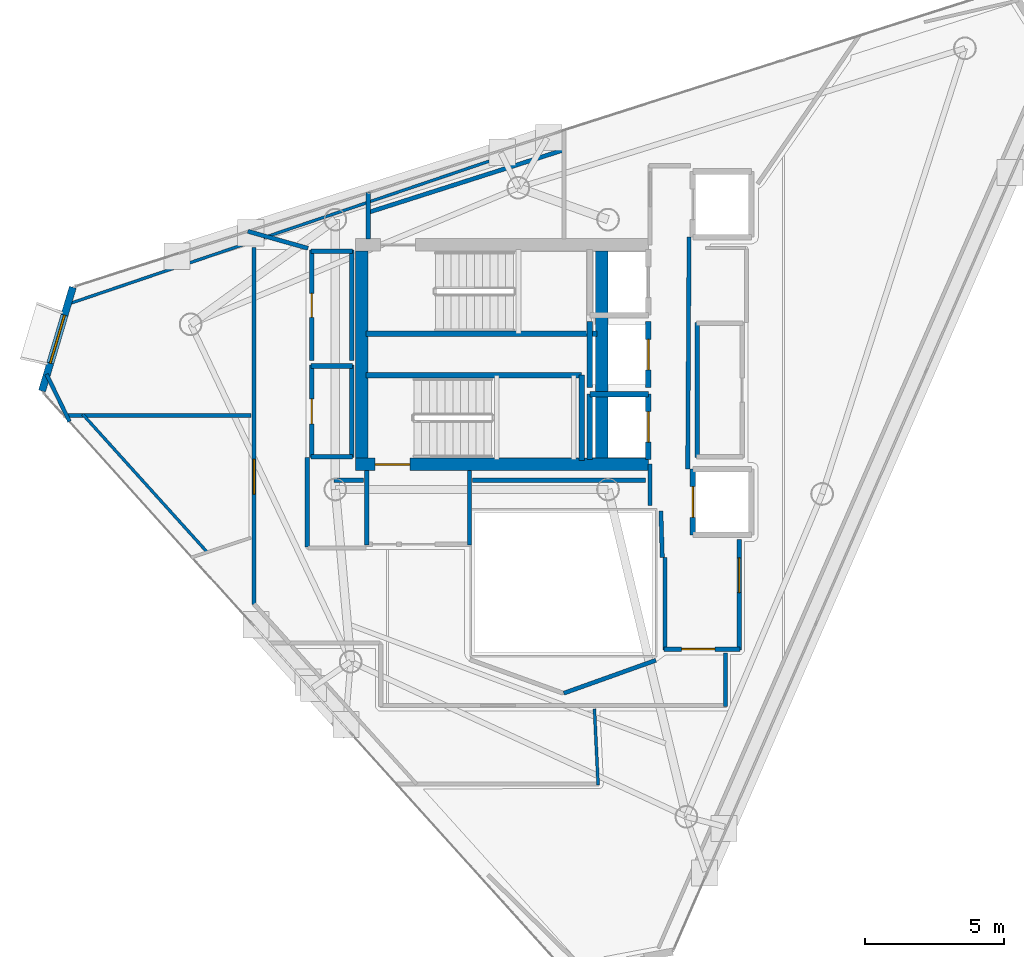
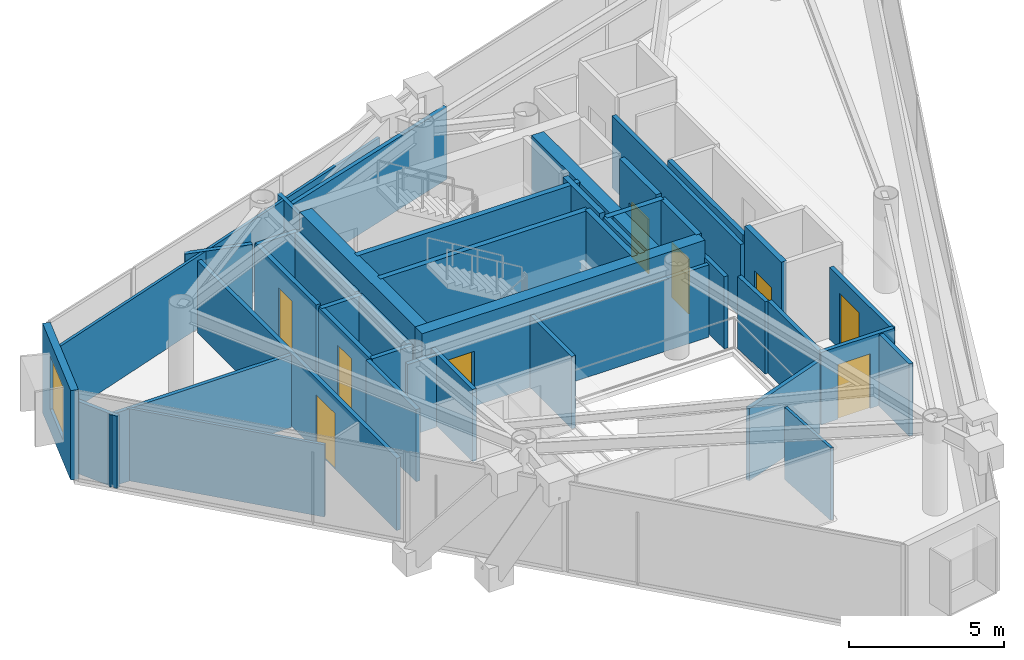
# One storey, part 16 of 19: 43 walls, 9 doors, 1 window, 10 openings.
"""IFC4 building model written with IfcOpenShell, lengths in metres."""

import ifcopenshell
import ifcopenshell.guid

model = None  # the IFC model being written
_history = None  # IfcOwnerHistory: only IFC2X3 demands one
_inside = {}  # id of a spatial element -> (the spatial element, [elements in it])
_under = {}  # id of a project, library or spatial element -> (it, [spatial elements below it])
_declared = {}  # id of a project -> (the project, [libraries it declares])
_typed = {}  # id of a type object -> (the type object, [elements of that type])
_made_of = {}  # id of a material, layer set ... -> (it, [elements and type objects made of it])


def new_model(schema):
    """Start an empty IFC model of exactly this schema.

    Asked for "IFC4X3", IfcOpenShell would pick the latest addendum, in which some entities
    have other attributes; the version numbers below select the first issue.
    IFC2X3 requires an IfcOwnerHistory on every rooted entity: one is made here for all.
    """
    global model, _history
    if schema == "IFC4X3":
        model = ifcopenshell.file(schema_version=(4, 3, 0, 0))
    else:
        model = ifcopenshell.file(schema=schema)
    _inside.clear()
    _under.clear()
    _declared.clear()
    _typed.clear()
    _made_of.clear()
    _history = None
    if model.schema == "IFC2X3":
        org = make("IfcOrganization", Name="unknown")
        user = make(
            "IfcPersonAndOrganization",
            ThePerson=make("IfcPerson", FamilyName="unknown"),
            TheOrganization=org,
        )
        app = make(
            "IfcApplication",
            ApplicationDeveloper=org,
            Version="unknown",
            ApplicationFullName="unknown",
            ApplicationIdentifier="unknown",
        )
        _history = make(
            "IfcOwnerHistory",
            OwningUser=user,
            OwningApplication=app,
            ChangeAction="ADDED",
            CreationDate=0,
        )
    return model


def make(cls, **values):
    """One entity of the class cls with the attributes given. An attribute that is None is left unset."""
    return model.create_entity(
        cls, **{name: value for name, value in values.items() if value is not None}
    )


def rooted(cls, **values):
    """An entity with a GlobalId (a new one), such as an element, a storey or a relation."""
    return make(cls, GlobalId=ifcopenshell.guid.new(), OwnerHistory=_history, **values)


def si_unit(unit_type, name, prefix=None):
    """IfcSIUnit, for example si_unit("LENGTHUNIT", "METRE", prefix="MILLI")."""
    return make("IfcSIUnit", UnitType=unit_type, Prefix=prefix, Name=name)


def assignment(units):
    """IfcUnitAssignment: the units of a project."""
    return None if units is None else make("IfcUnitAssignment", Units=units)


def point(xyz):
    """IfcCartesianPoint."""
    return None if xyz is None else make("IfcCartesianPoint", Coordinates=xyz)


def direction(xyz):
    """IfcDirection."""
    return None if xyz is None else make("IfcDirection", DirectionRatios=xyz)


def frame(location, z_axis=None, x_axis=None):
    """IfcAxis2Placement3D, a coordinate frame: its origin and axes. An axis left out is left unset."""
    return make(
        "IfcAxis2Placement3D",
        Location=point(location),
        Axis=direction(z_axis),
        RefDirection=direction(x_axis),
    )


def frame_2d(location, x_axis=None):
    """IfcAxis2Placement2D, a coordinate frame in the plane: its origin and x axis."""
    return make(
        "IfcAxis2Placement2D", Location=point(location), RefDirection=direction(x_axis)
    )


def origin():
    """The frame at (0, 0, 0) with its axes left unset."""
    return frame((0.0, 0.0, 0.0))


def place(relative_to, where):
    """IfcLocalPlacement: puts the frame where relative to a parent placement (None: the world)."""
    return make(
        "IfcLocalPlacement", PlacementRelTo=relative_to, RelativePlacement=where
    )


def context(
    kind, dimensions, precision=None, world=None, true_north=None, identifier=None
):
    """IfcGeometricRepresentationContext, for example the 3D "Model" context."""
    return make(
        "IfcGeometricRepresentationContext",
        ContextIdentifier=identifier,
        ContextType=kind,
        CoordinateSpaceDimension=dimensions,
        Precision=precision,
        WorldCoordinateSystem=world,
        TrueNorth=true_north,
    )


def subcontext(parent, identifier, kind, view, scale=None):
    """IfcGeometricRepresentationSubContext, for example "Body" below "Model"."""
    return make(
        "IfcGeometricRepresentationSubContext",
        ContextIdentifier=identifier,
        ContextType=kind,
        ParentContext=parent,
        TargetScale=scale,
        TargetView=view,
    )


def project(units=None, contexts=None):
    """IfcProject with its units and contexts."""
    return rooted(
        "IfcProject",
        Name="project",
        RepresentationContexts=contexts,
        UnitsInContext=assignment(units),
    )


def spatial(cls, under=None, at=None, **own):
    """A site, building, storey or space (cls), placed at a placement, below another one or the project."""
    s = rooted(cls, ObjectPlacement=at, **own)
    if under is not None:
        _under.setdefault(under.id(), (under, []))[1].append(s)
    return s


def profile(cls, at=None, kind="AREA", **sizes):
    """A parametric profile (cls). Its sizes go by their IFC names, for example OverallWidth=200.0."""
    return make(cls, ProfileType=kind, Position=at, **sizes)


def rectangle(**sizes):
    """IfcRectangleProfileDef."""
    return profile("IfcRectangleProfileDef", **sizes)


def extrude(swept, where, along, depth):
    """IfcExtrudedAreaSolid: the profile swept, set in the frame where, extruded along a direction by depth."""
    return make(
        "IfcExtrudedAreaSolid",
        SweptArea=swept,
        Position=where,
        ExtrudedDirection=direction(along),
        Depth=depth,
    )


def shape(context_of_items, identifier, shape_type, items):
    """IfcShapeRepresentation: the items that make up one representation, for example the "Body"."""
    return make(
        "IfcShapeRepresentation",
        ContextOfItems=context_of_items,
        RepresentationIdentifier=identifier,
        RepresentationType=shape_type,
        Items=items,
    )


def material(Name=None, Category=None):
    """IfcMaterial."""
    return make("IfcMaterial", Name=Name, Category=Category)


def layer(
    of_material, thickness, ventilated=None, Name=None, Category=None, Priority=None
):
    """IfcMaterialLayer: one layer of a wall or slab, of a material (None: an air gap)."""
    return make(
        "IfcMaterialLayer",
        Material=of_material,
        LayerThickness=thickness,
        IsVentilated=ventilated,
        Name=Name,
        Category=Category,
        Priority=Priority,
    )


def layer_set(layers, Name=None):
    """IfcMaterialLayerSet."""
    return make("IfcMaterialLayerSet", MaterialLayers=layers, LayerSetName=Name)


def made_of(thing, what):
    """Note that an element or type object is made of a material, layer set ...; save() writes the relation."""
    if what is not None:
        _made_of.setdefault(what.id(), (what, []))[1].append(thing)
    return thing


def type_object(cls, material=None, **own):
    """A type object (cls), such as IfcWallType, which elements share."""
    return made_of(rooted(cls, **own), material)


def element(
    cls,
    number,
    at=None,
    inside=None,
    cuts=None,
    type_object=None,
    material=None,
    context=None,
    identifier="Body",
    shape_type=None,
    held_by="IfcProductDefinitionShape",
    body=None,
    shapes=None,
    **own,
):
    """One element of the class cls, such as IfcWall. Its Tag is "e" and its number.

    at: its placement. inside: the storey or other place that contains it. cuts: it is an
    opening in that element (IfcRelVoidsElement). A single representation is given by context,
    identifier, shape_type and body (its items); several are given by shapes. held_by: the class
    of the entity that holds the representations. save() writes the other relations.
    """
    e = rooted(cls, Tag="e%d" % number, ObjectPlacement=at, **own)
    if body is not None:
        shapes = [shape(context, identifier, shape_type, body)]
    if shapes is not None:
        e.Representation = make(held_by, Representations=shapes)
    if inside is not None:
        _inside.setdefault(inside.id(), (inside, []))[1].append(e)
    if cuts is not None:
        rooted(
            "IfcRelVoidsElement", RelatingBuildingElement=cuts, RelatedOpeningElement=e
        )
    if type_object is not None:
        _typed.setdefault(type_object.id(), (type_object, []))[1].append(e)
    return made_of(e, material)


def fill(opening, filler):
    """IfcRelFillsElement: the door or window that sits in an opening."""
    return rooted(
        "IfcRelFillsElement",
        RelatingOpeningElement=opening,
        RelatedBuildingElement=filler,
    )


def aggregate(whole, parts):
    """IfcRelAggregates: a whole, such as a stair, and the parts it consists of."""
    return rooted("IfcRelAggregates", RelatingObject=whole, RelatedObjects=parts)


def save(model, path):
    """Write the relations noted so far, then the file.

    IfcRelAggregates (storeys below a building ...), IfcRelContainedInSpatialStructure (elements
    in a storey), IfcRelDefinesByType, IfcRelAssociatesMaterial and IfcRelDeclares: one each for
    every whole, place, type object, material and project.
    """
    for whole, parts in _under.values():
        aggregate(whole, parts)
    for where, things in _inside.values():
        rooted(
            "IfcRelContainedInSpatialStructure",
            RelatedElements=things,
            RelatingStructure=where,
        )
    for kind, things in _typed.values():
        rooted("IfcRelDefinesByType", RelatedObjects=things, RelatingType=kind)
    for what, things in _made_of.values():
        rooted("IfcRelAssociatesMaterial", RelatedObjects=things, RelatingMaterial=what)
    for by, libraries in _declared.values():
        rooted("IfcRelDeclares", RelatingContext=by, RelatedDefinitions=libraries)
    model.write(path)


model = new_model("IFC4")

# Units and contexts
model_context = context("Model", 3, precision=1e-05, world=origin(), true_north=direction((0.0, 1.0)))
body_context = subcontext(model_context, "Body", "Model", "MODEL_VIEW")
ifc_project = project(units=[si_unit("LENGTHUNIT", "METRE"), si_unit("AREAUNIT", "SQUARE_METRE"), si_unit("VOLUMEUNIT", "CUBIC_METRE"), si_unit("PLANEANGLEUNIT", "RADIAN"), si_unit("MASSUNIT", "GRAM", prefix="KILO")], contexts=[model_context])

# Site, building, storey
site_placement = place(None, origin())
site = spatial("IfcSite", under=ifc_project, at=site_placement, CompositionType="ELEMENT")
building_placement = place(site_placement, origin())
building = spatial("IfcBuilding", under=site, at=building_placement, Name="Qianvela Tower", CompositionType="ELEMENT")
storey_placement = place(building_placement, frame((0.0, 0.0, 329.60009765625)))
storey = spatial("IfcBuildingStorey", under=building, at=storey_placement, Name="L85", CompositionType="ELEMENT", Elevation=329.60009765625)

# Wall, opening, window
ifc_material_1 = material(Name="Terracotta Cladding on Concrete C40", Category="masonry")
ifc_layer_1 = layer(ifc_material_1, 0.260009765625)
ifc_layer_set_1 = layer_set([ifc_layer_1], Name="Terracotta Cladding on Concrete C40")
wall_type_1 = type_object("IfcWallType", Name="TERRACOTTA-WALL-260", PredefinedType="SOLIDWALL", material=ifc_layer_set_1)
wall_1_placement = place(storey_placement, frame((19.164306640625, 31.119384765625, 0.0), z_axis=(0.0, 0.0, 1.0), x_axis=(-0.284624412262, -0.958639110377, 0.0)))
wall_1 = element("IfcWall", 1, at=wall_1_placement, inside=storey, type_object=wall_type_1, Name="L85 Terracotta Chamfer Facet Wall 3", PredefinedType="SOLIDWALL", context=body_context, shape_type="SweptSolid", body=[
    extrude(rectangle(XDim=3.8916015625, YDim=0.260009765625, at=frame_2d((1.94580078125, 0.0))), origin(), (0.0, 0.0, 1.0), 3.52001953125),
])
opening_1_placement = place(wall_1_placement, frame((1.0458984375, 0.0, 0.85009765625)))
opening_1 = element("IfcOpeningElement", 2, at=opening_1_placement, cuts=wall_1, Name="Opening W-01", PredefinedType="OPENING", context=body_context, shape_type="SweptSolid", body=[
    extrude(rectangle(XDim=1.800048828125, YDim=2.10009765625, at=frame_2d((0.89990234375, 1.050048828125))), frame((0.0, 0.139892578125, 0.0), z_axis=(0.0, -1.0, 0.0), x_axis=(1.0, 0.0, 0.0)), (0.0, 0.0, 1.0), 0.280029296875),
])
ifc_material_2 = material(Name="Thermally Broken Aluminium and Low-E Glass", Category="aluminium")
window_type = type_object("IfcWindowType", Name="WIN-TC-1800x2100", PartitioningType="DOUBLE_PANEL_VERTICAL", PredefinedType="WINDOW", material=ifc_material_2)
window_placement = place(opening_1_placement, origin())
window = element("IfcWindow", 3, at=window_placement, inside=storey, type_object=window_type, Name="L85 Chamfer Facet Window 3.1", OverallHeight=2.10009765625, OverallWidth=1.800048828125, PartitioningType="SINGLE_PANEL", PredefinedType="WINDOW", context=body_context, shape_type="SweptSolid", body=[
    extrude(rectangle(XDim=1.800048828125, YDim=2.10009765625, at=frame_2d((0.89990234375, 1.050048828125))), frame((0.0, 0.030029296875, 0.0), z_axis=(0.0, -1.0, 0.0), x_axis=(1.0, 0.0, 0.0)), (0.0, 0.0, 1.0), 0.06005859375),
])
fill(opening_1, window)

# Wall, opening, door
ifc_material_3 = material(Name="Concrete C50", Category="concrete")
ifc_layer_2 = layer(ifc_material_3, 0.449951171875)
ifc_layer_set_2 = layer_set([ifc_layer_2], Name="Concrete C50")
wall_type_2 = type_object("IfcWallType", Name="WT-CORE-450", PredefinedType="SHEAR", material=ifc_layer_set_2)
wall_2_placement = place(storey_placement, frame((29.330078125, 24.7548828125, 0.0), z_axis=(0.0, 0.0, 1.0), x_axis=(1.0, 0.0, 0.0)))
wall_2 = element("IfcWall", 4, at=wall_2_placement, inside=storey, type_object=wall_type_2, Name="L85 South Core Shear Wall", PredefinedType="SHEAR", context=body_context, shape_type="SweptSolid", body=[
    extrude(rectangle(XDim=10.52001953125, YDim=0.449951171875, at=frame_2d((5.260009765625, 0.0))), origin(), (0.0, 0.0, 1.0), 3.52001953125),
])
opening_2_placement = place(wall_2_placement, frame((0.695068359375, 0.0, 0.0)))
opening_2 = element("IfcOpeningElement", 5, at=opening_2_placement, cuts=wall_2, Name="Opening D-ST1", PredefinedType="OPENING", context=body_context, shape_type="SweptSolid", body=[
    extrude(rectangle(XDim=1.25, YDim=2.14990234375, at=frame_2d((0.625, 1.074951171875))), frame((0.0, 0.23486328125, 0.0), z_axis=(0.0, -1.0, 0.0), x_axis=(1.0, 0.0, 0.0)), (0.0, 0.0, 1.0), 0.469970703125),
])
ifc_material_4 = material(Name="Galvanised Fire Steel Q355B", Category="steel")
door_type_1 = type_object("IfcDoorType", Name="DT-STAIR-FD90", OperationType="NOTDEFINED", PredefinedType="DOOR", material=ifc_material_4)
door_1_placement = place(opening_2_placement, origin())
door_1 = element("IfcDoor", 6, at=door_1_placement, inside=storey, type_object=door_type_1, Name="L85 Stair ST-2 Exit Door", OperationType="SINGLE_SWING_LEFT", OverallHeight=2.14990234375, OverallWidth=1.25, PredefinedType="DOOR", context=body_context, shape_type="SweptSolid", body=[
    extrude(rectangle(XDim=1.25, YDim=2.14990234375, at=frame_2d((0.625, 1.074951171875))), frame((0.0, 0.02490234375, 0.0), z_axis=(0.0, -1.0, 0.0), x_axis=(1.0, 0.0, 0.0)), (0.0, 0.0, 1.0), 0.050048828125),
])
fill(opening_2, door_1)

# Walls
for number, where, z_axis, x_axis, name in (
    (7, (29.554931640625, 24.97998046875, 0.0), (0.0, 0.0, 1.0), (0.0, 1.0, 0.0), "L85 West Core Shear Wall"),
    (8, (38.179931640625, 24.97998046875, 0.0), (0.0, 0.0, 1.0), (0.0, 1.0, 0.0), "L85 East Spine Core Shear Wall"),
):
    element("IfcWall", number, at=place(storey_placement, frame(where, z_axis=z_axis, x_axis=x_axis)), inside=storey, type_object=wall_type_2, Name=name, PredefinedType="SHEAR", context=body_context, shape_type="SweptSolid", body=[
        extrude(rectangle(XDim=7.43994140625, YDim=0.449951171875, at=frame_2d((3.719970703125, 0.0))), origin(), (0.0, 0.0, 1.0), 3.52001953125),
    ])
ifc_material_5 = material(Name="Fire-Rated Acoustic Gypsum Board")
ifc_layer_3 = layer(ifc_material_5, 0.14990234375)
ifc_layer_set_3 = layer_set([ifc_layer_3], Name="Fire-Rated Acoustic Gypsum Board")
wall_type_3 = type_object("IfcWallType", Name="WT-CORR-150", PredefinedType="PARTITIONING", material=ifc_layer_set_3)
wall_3_placement = place(storey_placement, frame((29.759521484375, 33.8017578125, 0.0), z_axis=(0.0, 0.0, 1.0), x_axis=(0.952518417837, 0.304480974252, 0.0)))
element("IfcWall", 9, at=wall_3_placement, inside=storey, type_object=wall_type_3, Name="L85 Partition 1", PredefinedType="PARTITIONING", context=body_context, shape_type="SweptSolid", body=[
    extrude(rectangle(XDim=7.453857421875, YDim=0.14990234375, at=frame_2d((3.72705078125, 0.0))), origin(), (0.0, 0.0, 1.0), 2.83984375),
])
wall_4_placement = place(storey_placement, frame((29.781005859375, 32.85791015625, 0.0), z_axis=(0.0, 0.0, 1.0), x_axis=(0.0, 1.0, 0.0)))
element("IfcWall", 10, at=wall_4_placement, inside=storey, type_object=wall_type_3, Name="L85 Partition 4", PredefinedType="PARTITIONING", context=body_context, shape_type="SweptSolid", body=[
    extrude(rectangle(XDim=1.67529296875, YDim=0.14990234375, at=frame_2d((0.837646484375, 0.0))), origin(), (0.0, 0.0, 1.0), 2.83984375),
])
for number, where, z_axis, x_axis, name in (
    (11, (29.73095703125, 21.85009765625, 0.0), (0.0, 0.0, 1.0), (0.0, 1.0, 0.0), "L85 Partition 6"),
    (12, (33.4189453125, 24.5419921875, 0.0), (0.0, 0.0, 1.0), (0.0, -1.0, 0.0), "L85 Partition 8"),
):
    element("IfcWall", number, at=place(storey_placement, frame(where, z_axis=z_axis, x_axis=x_axis)), inside=storey, type_object=wall_type_3, Name=name, PredefinedType="PARTITIONING", context=body_context, shape_type="SweptSolid", body=[
        extrude(rectangle(XDim=2.69189453125, YDim=0.14990234375, at=frame_2d((1.345947265625, 0.0))), origin(), (0.0, 0.0, 1.0), 2.83984375),
    ])
wall_5_placement = place(storey_placement, frame((40.35107421875, 21.40087890625, 0.0), z_axis=(0.0, 0.0, 1.0), x_axis=(-0.031058045979, 0.999517582527, 0.0)))
element("IfcWall", 13, at=wall_5_placement, inside=storey, type_object=wall_type_3, Name="L85 Partition 9", PredefinedType="PARTITIONING", context=body_context, shape_type="SweptSolid", body=[
    extrude(rectangle(XDim=1.68212890625, YDim=0.14990234375, at=frame_2d((0.841064453125, 0.0))), origin(), (0.0, 0.0, 1.0), 2.83984375),
])
wall_6_placement = place(storey_placement, frame((39.910888671875, 23.280029296875, 0.0), z_axis=(0.0, 0.0, 1.0), x_axis=(0.0, 1.0, 0.0)))
element("IfcWall", 14, at=wall_6_placement, inside=storey, type_object=wall_type_3, Name="L85 Partition 10", PredefinedType="PARTITIONING", context=body_context, shape_type="SweptSolid", body=[
    extrude(rectangle(XDim=1.47998046875, YDim=0.14990234375, at=frame_2d((0.739990234375, 0.0))), origin(), (0.0, 0.0, 1.0), 2.83984375),
])
wall_7_placement = place(storey_placement, frame((41.3134765625, 32.919921875, 0.0), z_axis=(0.0, 0.0, 1.0), x_axis=(-0.005942518022, -0.999982343084, 0.0)))
element("IfcWall", 15, at=wall_7_placement, inside=storey, type_object=wall_type_3, Name="L85 Partition 14 seg 2", PredefinedType="PARTITIONING", context=body_context, shape_type="SweptSolid", body=[
    extrude(rectangle(XDim=8.340087890625, YDim=0.14990234375, at=frame_2d((4.169921875, 0.0))), origin(), (0.0, 0.0, 1.0), 2.83984375),
])

# Wall, opening, door
wall_8_placement = place(storey_placement, frame((43.118896484375, 22.050048828125, 0.0), z_axis=(0.0, 0.0, 1.0), x_axis=(0.0, -1.0, 0.0)))
wall_8 = element("IfcWall", 16, at=wall_8_placement, inside=storey, type_object=wall_type_3, Name="L85 Partition 16", PredefinedType="PARTITIONING", context=body_context, shape_type="SweptSolid", body=[
    extrude(rectangle(XDim=3.969970703125, YDim=0.14990234375, at=frame_2d((1.98486328125, 0.0))), origin(), (0.0, 0.0, 1.0), 2.83984375),
])
opening_3_placement = place(wall_8_placement, frame((0.659912109375, 0.0, 0.0)))
opening_3 = element("IfcOpeningElement", 17, at=opening_3_placement, cuts=wall_8, Name="Opening D-LG1", PredefinedType="OPENING", context=body_context, shape_type="SweptSolid", body=[
    extrude(rectangle(XDim=1.25, YDim=2.199951171875, at=frame_2d((0.625, 1.10009765625))), frame((0.0, 0.0849609375, 0.0), z_axis=(0.0, -1.0, 0.0), x_axis=(1.0, 0.0, 0.0)), (0.0, 0.0, 1.0), 0.169921875),
])
ifc_material_6 = material(Name="Anodised Aluminium Acoustic Glass Door", Category="aluminium")
door_type_2 = type_object("IfcDoorType", Name="DT-LOUNGE-1250", OperationType="NOTDEFINED", PredefinedType="DOOR", material=ifc_material_6)
door_2_placement = place(opening_3_placement, origin())
door_2 = element("IfcDoor", 18, at=door_2_placement, inside=storey, type_object=door_type_2, Name="L85 Door Stationery Supply Boutique L85-04 to L85 Lift Lobby", OperationType="SINGLE_SWING_LEFT", OverallHeight=2.199951171875, OverallWidth=1.25, PredefinedType="DOOR", context=body_context, shape_type="SweptSolid", body=[
    extrude(rectangle(XDim=1.25, YDim=2.199951171875, at=frame_2d((0.625, 1.10009765625))), frame((0.0, 0.02490234375, 0.0), z_axis=(0.0, -1.0, 0.0), x_axis=(1.0, 0.0, 0.0)), (0.0, 0.0, 1.0), 0.050048828125),
])
fill(opening_3, door_2)

wall_9_placement = place(storey_placement, frame((43.14990234375, 18.111083984375, 0.0), z_axis=(0.0, 0.0, 1.0), x_axis=(-1.0, 0.0, 0.0)))
wall_9 = element("IfcWall", 19, at=wall_9_placement, inside=storey, type_object=wall_type_3, Name="L85 Partition 17", PredefinedType="PARTITIONING", context=body_context, shape_type="SweptSolid", body=[
    extrude(rectangle(XDim=2.72998046875, YDim=0.14990234375, at=frame_2d((1.364990234375, 0.0))), origin(), (0.0, 0.0, 1.0), 2.83984375),
])
opening_4_placement = place(wall_9_placement, frame((0.905029296875, 0.0, 0.0)))
opening_4 = element("IfcOpeningElement", 20, at=opening_4_placement, cuts=wall_9, Name="Opening D-LB1", PredefinedType="OPENING", context=body_context, shape_type="SweptSolid", body=[
    extrude(rectangle(XDim=1.199951171875, YDim=2.14990234375, at=frame_2d((0.60009765625, 1.074951171875))), frame((0.0, 0.0849609375, 0.0), z_axis=(0.0, -1.0, 0.0), x_axis=(1.0, 0.0, 0.0)), (0.0, 0.0, 1.0), 0.169921875),
])
ifc_material_7 = material(Name="Glazed Fire-Rated Steel Frame", Category="steel")
door_type_3 = type_object("IfcDoorType", Name="DT-LOBBY-FD90", OperationType="NOTDEFINED", PredefinedType="DOOR", material=ifc_material_7)
door_3_placement = place(opening_4_placement, origin())
door_3 = element("IfcDoor", 21, at=door_3_placement, inside=storey, type_object=door_type_3, Name="L85 Door L85 Lift Lobby to L85 Floor Corridor", OperationType="SINGLE_SWING_RIGHT", OverallHeight=2.14990234375, OverallWidth=1.199951171875, PredefinedType="DOOR", context=body_context, shape_type="SweptSolid", body=[
    extrude(rectangle(XDim=1.199951171875, YDim=2.14990234375, at=frame_2d((0.60009765625, 1.074951171875))), frame((0.0, 0.02490234375, 0.0), z_axis=(0.0, -1.0, 0.0), x_axis=(1.0, 0.0, 0.0)), (0.0, 0.0, 1.0), 0.050048828125),
])
fill(opening_4, door_3)

# Walls
wall_10_placement = place(storey_placement, frame((40.450927734375, 18.080078125, 0.0), z_axis=(0.0, 0.0, 1.0), x_axis=(0.0, 1.0, 0.0)))
element("IfcWall", 22, at=wall_10_placement, inside=storey, type_object=wall_type_3, Name="L85 Partition 18 seg 1", PredefinedType="PARTITIONING", context=body_context, shape_type="SweptSolid", body=[
    extrude(rectangle(XDim=3.31982421875, YDim=0.14990234375, at=frame_2d((1.659912109375, 0.0))), origin(), (0.0, 0.0, 1.0), 2.83984375),
])
wall_11_placement = place(storey_placement, frame((29.6201171875, 24.180908203125, 0.0), z_axis=(0.0, 0.0, 1.0), x_axis=(-1.0, 0.0, 0.0)))
element("IfcWall", 23, at=wall_11_placement, inside=storey, type_object=wall_type_3, Name="L85 Partition 36", PredefinedType="PARTITIONING", context=body_context, shape_type="SweptSolid", body=[
    extrude(rectangle(XDim=1.070068359375, YDim=0.14990234375, at=frame_2d((0.53515625, 0.0))), origin(), (0.0, 0.0, 1.0), 2.83984375),
])
wall_12_placement = place(storey_placement, frame((39.75, 24.180908203125, 0.0), z_axis=(0.0, 0.0, 1.0), x_axis=(-1.0, 0.0, 0.0)))
element("IfcWall", 24, at=wall_12_placement, inside=storey, type_object=wall_type_3, Name="L85 Partition 44", PredefinedType="PARTITIONING", context=body_context, shape_type="SweptSolid", body=[
    extrude(rectangle(XDim=6.219970703125, YDim=0.14990234375, at=frame_2d((3.10986328125, 0.0))), origin(), (0.0, 0.0, 1.0), 2.83984375),
])
wall_13_placement = place(storey_placement, frame((36.810302734375, 16.52880859375, 0.0), z_axis=(0.0, 0.0, 1.0), x_axis=(0.941548344365, 0.33687789364, 0.0)))
element("IfcWall", 25, at=wall_13_placement, inside=storey, type_object=wall_type_3, Name="L85 Partition 46", PredefinedType="PARTITIONING", context=body_context, shape_type="SweptSolid", body=[
    extrude(rectangle(XDim=3.5126953125, YDim=0.14990234375, at=frame_2d((1.75634765625, 0.0))), origin(), (0.0, 0.0, 1.0), 2.83984375),
])
wall_14_placement = place(storey_placement, frame((42.618896484375, 17.97998046875, 0.0), z_axis=(0.0, 0.0, 1.0), x_axis=(0.0, -1.0, 0.0)))
element("IfcWall", 26, at=wall_14_placement, inside=storey, type_object=wall_type_3, Name="L85 Partition 48", PredefinedType="PARTITIONING", context=body_context, shape_type="SweptSolid", body=[
    extrude(rectangle(XDim=1.929931640625, YDim=0.14990234375, at=frame_2d((0.96484375, 0.0))), origin(), (0.0, 0.0, 1.0), 2.83984375),
])

# Wall, opening, door
wall_15_placement = place(storey_placement, frame((25.680908203125, 19.7177734375, 0.0), z_axis=(0.0, 0.0, 1.0), x_axis=(0.0, 1.0, 0.0)))
wall_15 = element("IfcWall", 27, at=wall_15_placement, inside=storey, type_object=wall_type_3, Name="L85 Partition 53", PredefinedType="PARTITIONING", context=body_context, shape_type="SweptSolid", body=[
    extrude(rectangle(XDim=12.832275390625, YDim=0.14990234375, at=frame_2d((6.416015625, 0.0))), origin(), (0.0, 0.0, 1.0), 2.83984375),
])
opening_5_placement = place(wall_15_placement, frame((3.96337890625, 0.0, 0.0)))
opening_5 = element("IfcOpeningElement", 28, at=opening_5_placement, cuts=wall_15, Name="Opening D-LG1", PredefinedType="OPENING", context=body_context, shape_type="SweptSolid", body=[
    extrude(rectangle(XDim=1.25, YDim=2.199951171875, at=frame_2d((0.625, 1.10009765625))), frame((0.0, 0.0849609375, 0.0), z_axis=(0.0, -1.0, 0.0), x_axis=(1.0, 0.0, 0.0)), (0.0, 0.0, 1.0), 0.169921875),
])
door_4_placement = place(opening_5_placement, origin())
door_4 = element("IfcDoor", 29, at=door_4_placement, inside=storey, type_object=door_type_2, Name="L85 Door Commons Day Lounge L85-01 to L85 Floor Corridor", OperationType="SINGLE_SWING_RIGHT", OverallHeight=2.199951171875, OverallWidth=1.25, PredefinedType="DOOR", context=body_context, shape_type="SweptSolid", body=[
    extrude(rectangle(XDim=1.25, YDim=2.199951171875, at=frame_2d((0.625, 1.10009765625))), frame((0.0, 0.02490234375, 0.0), z_axis=(0.0, -1.0, 0.0), x_axis=(1.0, 0.0, 0.0)), (0.0, 0.0, 1.0), 0.050048828125),
])
fill(opening_5, door_4)

# Walls
wall_16_placement = place(storey_placement, frame((25.45458984375, 33.130126953125, 0.0), z_axis=(0.0, 0.0, 1.0), x_axis=(0.962415505335, -0.271581286342, 0.0)))
element("IfcWall", 30, at=wall_16_placement, inside=storey, type_object=wall_type_3, Name="L85 Partition 54", PredefinedType="PARTITIONING", context=body_context, shape_type="SweptSolid", body=[
    extrude(rectangle(XDim=2.25, YDim=0.14990234375, at=frame_2d((1.125, 0.0))), origin(), (0.0, 0.0, 1.0), 2.83984375),
])
wall_17_placement = place(storey_placement, frame((27.589111328125, 25.0, 0.0), z_axis=(0.0, 0.0, 1.0), x_axis=(0.0, -1.0, 0.0)))
element("IfcWall", 31, at=wall_17_placement, inside=storey, type_object=wall_type_3, Name="L85 Partition 55 seg 3", PredefinedType="PARTITIONING", context=body_context, shape_type="SweptSolid", body=[
    extrude(rectangle(XDim=3.219970703125, YDim=0.14990234375, at=frame_2d((1.60986328125, 0.0))), origin(), (0.0, 0.0, 1.0), 2.83984375),
])
ifc_material_8 = material(Name="Lightweight Gypsum Room Partition")
ifc_layer_4 = layer(ifc_material_8, 0.10498046875)
ifc_layer_set_4 = layer_set([ifc_layer_4], Name="Lightweight Gypsum Room Partition")
wall_type_4 = type_object("IfcWallType", Name="WT-PART-105", PredefinedType="PARTITIONING", material=ifc_layer_set_4)
wall_18_placement = place(storey_placement, frame((24.009765625, 21.58056640625, 0.0), z_axis=(0.0, 0.0, 1.0), x_axis=(-0.670184116522, 0.742194886779, 0.0)))
element("IfcWall", 32, at=wall_18_placement, inside=storey, type_object=wall_type_4, Name="L85 Partition 57", PredefinedType="PARTITIONING", context=body_context, shape_type="SweptSolid", body=[
    extrude(rectangle(XDim=6.70947265625, YDim=0.10498046875, at=frame_2d((3.354736328125, 0.0))), origin(), (0.0, 0.0, 1.0), 2.83984375),
])
wall_19_placement = place(storey_placement, frame((37.912353515625, 15.968505859375, 0.0), z_axis=(0.0, 0.0, 1.0), x_axis=(0.048344904465, -0.998830701477, 0.0)))
element("IfcWall", 33, at=wall_19_placement, inside=storey, type_object=wall_type_4, Name="L85 Partition 63", PredefinedType="PARTITIONING", context=body_context, shape_type="SweptSolid", body=[
    extrude(rectangle(XDim=2.737060546875, YDim=0.10498046875, at=frame_2d((1.36865234375, 0.0))), origin(), (0.0, 0.0, 1.0), 2.83984375),
])
wall_20_placement = place(storey_placement, frame((18.964111328125, 30.503173828125, 0.0), z_axis=(0.0, 0.0, 1.0), x_axis=(0.946932723681, 0.321431822977, 0.0)))
element("IfcWall", 34, at=wall_20_placement, inside=storey, type_object=wall_type_4, Name="L85 Partition 69 seg 1", PredefinedType="PARTITIONING", context=body_context, shape_type="SweptSolid", body=[
    extrude(rectangle(XDim=16.015625, YDim=0.10498046875, at=frame_2d((8.0078125, 0.0))), origin(), (0.0, 0.0, 1.0), 2.83984375),
])
ifc_material_9 = material(Name="Sanitary Service Chase Partition")
ifc_layer_5 = layer(ifc_material_9, 0.1650390625)
ifc_layer_set_5 = layer_set([ifc_layer_5], Name="Sanitary Service Chase Partition")
wall_type_5 = type_object("IfcWallType", Name="WT-PLUMB-165", PredefinedType="PLUMBINGWALL", material=ifc_layer_set_5)
wall_21_placement = place(storey_placement, frame((41.611083984375, 25.0, 0.0), z_axis=(0.0, 0.0, 1.0), x_axis=(0.0, 1.0, 0.0)))
element("IfcWall", 35, at=wall_21_placement, inside=storey, type_object=wall_type_5, Name="L85 Partition 20", PredefinedType="PLUMBINGWALL", context=body_context, shape_type="SweptSolid", body=[
    extrude(rectangle(XDim=4.85009765625, YDim=0.1650390625, at=frame_2d((2.425048828125, 0.0))), origin(), (0.0, 0.0, 1.0), 2.83984375),
])

# Wall, opening, door
wall_22_placement = place(storey_placement, frame((27.7509765625, 25.0, 0.0), z_axis=(0.0, 0.0, 1.0), x_axis=(0.0, 1.0, 0.0)))
wall_22 = element("IfcWall", 36, at=wall_22_placement, inside=storey, type_object=wall_type_5, Name="L85 Partition 23", PredefinedType="PLUMBINGWALL", context=body_context, shape_type="SweptSolid", body=[
    extrude(rectangle(XDim=3.320068359375, YDim=0.1650390625, at=frame_2d((1.66015625, 0.0))), origin(), (0.0, 0.0, 1.0), 2.83984375),
])
opening_6_placement = place(wall_22_placement, frame((1.2099609375, 0.0, 0.0)))
opening_6 = element("IfcOpeningElement", 37, at=opening_6_placement, cuts=wall_22, Name="Opening D-KT1", PredefinedType="OPENING", context=body_context, shape_type="SweptSolid", body=[
    extrude(rectangle(XDim=0.89990234375, YDim=2.10009765625, at=frame_2d((0.449951171875, 1.050048828125))), frame((0.0, 0.092529296875, 0.0), z_axis=(0.0, -1.0, 0.0), x_axis=(1.0, 0.0, 0.0)), (0.0, 0.0, 1.0), 0.18505859375),
])
ifc_material_10 = material(Name="Glazed Timber Kitchen Door", Category="wood")
door_type_4 = type_object("IfcDoorType", Name="DT-KITCH-900", OperationType="NOTDEFINED", PredefinedType="DOOR", material=ifc_material_10)
door_5_placement = place(opening_6_placement, origin())
door_5 = element("IfcDoor", 38, at=door_5_placement, inside=storey, type_object=door_type_4, Name="L85 Door L85 Core Tea Pantry West to L85 Floor Corridor", OperationType="SINGLE_SWING_LEFT", OverallHeight=2.10009765625, OverallWidth=0.89990234375, PredefinedType="DOOR", context=body_context, shape_type="SweptSolid", body=[
    extrude(rectangle(XDim=0.89990234375, YDim=2.10009765625, at=frame_2d((0.449951171875, 1.050048828125))), frame((0.0, 0.02490234375, 0.0), z_axis=(0.0, -1.0, 0.0), x_axis=(1.0, 0.0, 0.0)), (0.0, 0.0, 1.0), 0.050048828125),
])
fill(opening_6, door_5)

# Walls
wall_23_placement = place(storey_placement, frame((27.719970703125, 28.2890625, 0.0), z_axis=(0.0, 0.0, 1.0), x_axis=(1.0, 0.0, 0.0)))
element("IfcWall", 39, at=wall_23_placement, inside=storey, type_object=wall_type_5, Name="L85 Partition 24", PredefinedType="PLUMBINGWALL", context=body_context, shape_type="SweptSolid", body=[
    extrude(rectangle(XDim=1.5, YDim=0.1650390625, at=frame_2d((0.75, 0.0))), origin(), (0.0, 0.0, 1.0), 2.83984375),
])
wall_24_placement = place(storey_placement, frame((29.18896484375, 28.320068359375, 0.0), z_axis=(0.0, 0.0, 1.0), x_axis=(0.0, -1.0, 0.0)))
element("IfcWall", 40, at=wall_24_placement, inside=storey, type_object=wall_type_5, Name="L85 Partition 25", PredefinedType="PLUMBINGWALL", context=body_context, shape_type="SweptSolid", body=[
    extrude(rectangle(XDim=3.320068359375, YDim=0.1650390625, at=frame_2d((1.66015625, 0.0))), origin(), (0.0, 0.0, 1.0), 2.83984375),
])
wall_25_placement = place(storey_placement, frame((29.219970703125, 25.031005859375, 0.0), z_axis=(0.0, 0.0, 1.0), x_axis=(-1.0, 0.0, 0.0)))
element("IfcWall", 41, at=wall_25_placement, inside=storey, type_object=wall_type_5, Name="L85 Partition 26", PredefinedType="PLUMBINGWALL", context=body_context, shape_type="SweptSolid", body=[
    extrude(rectangle(XDim=1.5, YDim=0.1650390625, at=frame_2d((0.75, 0.0))), origin(), (0.0, 0.0, 1.0), 2.83984375),
])

# Wall, opening, door
wall_26_placement = place(storey_placement, frame((27.7509765625, 28.47998046875, 0.0), z_axis=(0.0, 0.0, 1.0), x_axis=(0.0, 1.0, 0.0)))
wall_26 = element("IfcWall", 42, at=wall_26_placement, inside=storey, type_object=wall_type_5, Name="L85 Partition 27", PredefinedType="PLUMBINGWALL", context=body_context, shape_type="SweptSolid", body=[
    extrude(rectangle(XDim=3.969970703125, YDim=0.1650390625, at=frame_2d((1.98486328125, 0.0))), origin(), (0.0, 0.0, 1.0), 2.83984375),
])
opening_7_placement = place(wall_26_placement, frame((1.554931640625, 0.0, 0.0)))
opening_7 = element("IfcOpeningElement", 43, at=opening_7_placement, cuts=wall_26, Name="Opening D-WC1", PredefinedType="OPENING", context=body_context, shape_type="SweptSolid", body=[
    extrude(rectangle(XDim=0.860107421875, YDim=2.050048828125, at=frame_2d((0.43017578125, 1.02490234375))), frame((0.0, 0.092529296875, 0.0), z_axis=(0.0, -1.0, 0.0), x_axis=(1.0, 0.0, 0.0)), (0.0, 0.0, 1.0), 0.18505859375),
])
ifc_material_11 = material(Name="Moisture-Sealed Acoustic Timber Door", Category="wood")
door_type_5 = type_object("IfcDoorType", Name="DT-WC-860", OperationType="NOTDEFINED", PredefinedType="DOOR", material=ifc_material_11)
door_6_placement = place(opening_7_placement, origin())
door_6 = element("IfcDoor", 44, at=door_6_placement, inside=storey, type_object=door_type_5, Name="L85 Door L85 Accessible WC to L85 Floor Corridor", OperationType="SINGLE_SWING_RIGHT", OverallHeight=2.050048828125, OverallWidth=0.860107421875, PredefinedType="DOOR", context=body_context, shape_type="SweptSolid", body=[
    extrude(rectangle(XDim=0.860107421875, YDim=2.050048828125, at=frame_2d((0.43017578125, 1.02490234375))), frame((0.0, 0.02490234375, 0.0), z_axis=(0.0, -1.0, 0.0), x_axis=(1.0, 0.0, 0.0)), (0.0, 0.0, 1.0), 0.050048828125),
])
fill(opening_7, door_6)

# Walls
wall_27_placement = place(storey_placement, frame((27.719970703125, 32.4189453125, 0.0), z_axis=(0.0, 0.0, 1.0), x_axis=(1.0, 0.0, 0.0)))
element("IfcWall", 45, at=wall_27_placement, inside=storey, type_object=wall_type_5, Name="L85 Partition 28", PredefinedType="PLUMBINGWALL", context=body_context, shape_type="SweptSolid", body=[
    extrude(rectangle(XDim=1.5, YDim=0.1650390625, at=frame_2d((0.75, 0.0))), origin(), (0.0, 0.0, 1.0), 2.83984375),
])
wall_28_placement = place(storey_placement, frame((29.18896484375, 32.449951171875, 0.0), z_axis=(0.0, 0.0, 1.0), x_axis=(0.0, -1.0, 0.0)))
element("IfcWall", 46, at=wall_28_placement, inside=storey, type_object=wall_type_5, Name="L85 Partition 29", PredefinedType="PLUMBINGWALL", context=body_context, shape_type="SweptSolid", body=[
    extrude(rectangle(XDim=3.969970703125, YDim=0.1650390625, at=frame_2d((1.98486328125, 0.0))), origin(), (0.0, 0.0, 1.0), 2.83984375),
])
ifc_material_12 = material(Name="Acoustic Double Gypsum Stud Partition")
ifc_layer_6 = layer(ifc_material_12, 0.139892578125)
ifc_layer_set_6 = layer_set([ifc_layer_6], Name="Acoustic Double Gypsum Stud Partition")
wall_type_6 = type_object("IfcWallType", Name="WT-ROOM-140", PredefinedType="PARTITIONING", material=ifc_layer_set_6)
wall_29_placement = place(storey_placement, frame((18.831298828125, 26.508544921875, 0.0), z_axis=(0.0, 0.0, 1.0), x_axis=(1.0, 0.0, 0.0)))
element("IfcWall", 47, at=wall_29_placement, inside=storey, type_object=wall_type_6, Name="L85 Partition 58", PredefinedType="PARTITIONING", context=body_context, shape_type="SweptSolid", body=[
    extrude(rectangle(XDim=6.73876953125, YDim=0.139892578125, at=frame_2d((3.369384765625, 0.0))), origin(), (0.0, 0.0, 1.0), 2.83984375),
])
wall_30_placement = place(storey_placement, frame((19.047119140625, 26.2919921875, 0.0), z_axis=(0.0, 0.0, 1.0), x_axis=(-0.437592550732, 0.899173375687, 0.0)))
element("IfcWall", 48, at=wall_30_placement, inside=storey, type_object=wall_type_6, Name="L85 Partition 67", PredefinedType="PARTITIONING", context=body_context, shape_type="SweptSolid", body=[
    extrude(rectangle(XDim=1.89306640625, YDim=0.139892578125, at=frame_2d((0.946533203125, 0.0))), origin(), (0.0, 0.0, 1.0), 2.83984375),
])
ifc_material_13 = material(Name="Concrete C50", Category="concrete")
ifc_layer_7 = layer(ifc_material_13, 0.199951171875)
ifc_layer_set_7 = layer_set([ifc_layer_7], Name="Concrete C50")
wall_type_7 = type_object("IfcWallType", Name="WT-SHAFT-200", PredefinedType="SOLIDWALL", material=ifc_layer_set_7)
wall_31_placement = place(storey_placement, frame((29.699951171875, 29.449951171875, 0.0), z_axis=(0.0, 0.0, 1.0), x_axis=(1.0, 0.0, 0.0)))
element("IfcWall", 49, at=wall_31_placement, inside=storey, type_object=wall_type_7, Name="L85 Stair ST-1 South Wall", PredefinedType="SOLIDWALL", context=body_context, shape_type="SweptSolid", body=[
    extrude(rectangle(XDim=8.300048828125, YDim=0.199951171875, at=frame_2d((4.14990234375, 0.0))), origin(), (0.0, 0.0, 1.0), 3.52001953125),
])
wall_32_placement = place(storey_placement, frame((29.699951171875, 27.9599609375, 0.0), z_axis=(0.0, 0.0, 1.0), x_axis=(1.0, 0.0, 0.0)))
element("IfcWall", 50, at=wall_32_placement, inside=storey, type_object=wall_type_7, Name="L85 Stair ST-2 North Wall", PredefinedType="SOLIDWALL", context=body_context, shape_type="SweptSolid", body=[
    extrude(rectangle(XDim=7.75, YDim=0.199951171875, at=frame_2d((3.875, 0.0))), origin(), (0.0, 0.0, 1.0), 3.52001953125),
])
wall_33_placement = place(storey_placement, frame((37.449951171875, 24.89990234375, 0.0), z_axis=(0.0, 0.0, 1.0), x_axis=(0.0, 1.0, 0.0)))
element("IfcWall", 51, at=wall_33_placement, inside=storey, type_object=wall_type_7, Name="L85 Stair ST-2 East Wall", PredefinedType="SOLIDWALL", context=body_context, shape_type="SweptSolid", body=[
    extrude(rectangle(XDim=3.06005859375, YDim=0.199951171875, at=frame_2d((1.530029296875, 0.0))), origin(), (0.0, 0.0, 1.0), 3.52001953125),
])

# Wall, opening, door
wall_34_placement = place(storey_placement, frame((39.85009765625, 24.919921875, 0.0), z_axis=(0.0, 0.0, 1.0), x_axis=(0.0, 1.0, 0.0)))
wall_34 = element("IfcWall", 52, at=wall_34_placement, inside=storey, type_object=wall_type_7, Name="L85 Lift FL-2 E Shaft Wall", PredefinedType="SOLIDWALL", context=body_context, shape_type="SweptSolid", body=[
    extrude(rectangle(XDim=2.360107421875, YDim=0.199951171875, at=frame_2d((1.18017578125, 0.0))), origin(), (0.0, 0.0, 1.0), 3.52001953125),
])
opening_8_placement = place(wall_34_placement, frame((0.6298828125, 0.0, 0.0)))
opening_8 = element("IfcOpeningElement", 53, at=opening_8_placement, cuts=wall_34, Name="Opening LD-01", PredefinedType="OPENING", context=body_context, shape_type="SweptSolid", body=[
    extrude(rectangle(XDim=1.10009765625, YDim=2.14990234375, at=frame_2d((0.550048828125, 1.074951171875))), frame((0.0, 0.10986328125, 0.0), z_axis=(0.0, -1.0, 0.0), x_axis=(1.0, 0.0, 0.0)), (0.0, 0.0, 1.0), 0.219970703125),
])
ifc_material_14 = material(Name="Brushed Stainless Steel Lift Landing Door", Category="steel")
door_type_6 = type_object("IfcDoorType", Name="DT-LIFT-SLIDE-1100", OperationType="SLIDING_TO_LEFT", PredefinedType="DOOR", material=ifc_material_14)
door_7_placement = place(opening_8_placement, origin())
door_7 = element("IfcDoor", 54, at=door_7_placement, inside=storey, type_object=door_type_6, Name="L85 Lift FL-2 Sliding Landing Door", OperationType="SLIDING_TO_LEFT", OverallHeight=2.14990234375, OverallWidth=1.10009765625, PredefinedType="DOOR", context=body_context, shape_type="SweptSolid", body=[
    extrude(rectangle(XDim=1.10009765625, YDim=2.14990234375, at=frame_2d((0.550048828125, 1.074951171875))), frame((0.0, 0.02490234375, 0.0), z_axis=(0.0, -1.0, 0.0), x_axis=(1.0, 0.0, 0.0)), (0.0, 0.0, 1.0), 0.050048828125),
])
fill(opening_8, door_7)

# Walls
wall_35_placement = place(storey_placement, frame((37.75, 24.919921875, 0.0), z_axis=(0.0, 0.0, 1.0), x_axis=(0.0, 1.0, 0.0)))
element("IfcWall", 55, at=wall_35_placement, inside=storey, type_object=wall_type_7, Name="L85 Lift FL-2 W Shaft Wall", PredefinedType="SOLIDWALL", context=body_context, shape_type="SweptSolid", body=[
    extrude(rectangle(XDim=2.360107421875, YDim=0.199951171875, at=frame_2d((1.18017578125, 0.0))), origin(), (0.0, 0.0, 1.0), 3.52001953125),
])
wall_36_placement = place(storey_placement, frame((37.75, 27.280029296875, 0.0), z_axis=(0.0, 0.0, 1.0), x_axis=(1.0, 0.0, 0.0)))
element("IfcWall", 56, at=wall_36_placement, inside=storey, type_object=wall_type_7, Name="L85 Lift FL-2 N Shaft Wall", PredefinedType="SOLIDWALL", context=body_context, shape_type="SweptSolid", body=[
    extrude(rectangle(XDim=2.10009765625, YDim=0.199951171875, at=frame_2d((1.050048828125, 0.0))), origin(), (0.0, 0.0, 1.0), 3.52001953125),
])

# Wall, opening, door
wall_37_placement = place(storey_placement, frame((39.85009765625, 27.52001953125, 0.0), z_axis=(0.0, 0.0, 1.0), x_axis=(0.0, 1.0, 0.0)))
wall_37 = element("IfcWall", 57, at=wall_37_placement, inside=storey, type_object=wall_type_7, Name="L85 Lift PL-H1 E Shaft Wall", PredefinedType="SOLIDWALL", context=body_context, shape_type="SweptSolid", body=[
    extrude(rectangle(XDim=2.35986328125, YDim=0.199951171875, at=frame_2d((1.179931640625, 0.0))), origin(), (0.0, 0.0, 1.0), 3.52001953125),
])
opening_9_placement = place(wall_37_placement, frame((0.6298828125, 0.0, 0.0)))
opening_9 = element("IfcOpeningElement", 58, at=opening_9_placement, cuts=wall_37, Name="Opening LD-01", PredefinedType="OPENING", context=body_context, shape_type="SweptSolid", body=[
    extrude(rectangle(XDim=1.10009765625, YDim=2.14990234375, at=frame_2d((0.550048828125, 1.074951171875))), frame((0.0, 0.10986328125, 0.0), z_axis=(0.0, -1.0, 0.0), x_axis=(1.0, 0.0, 0.0)), (0.0, 0.0, 1.0), 0.219970703125),
])
door_8_placement = place(opening_9_placement, origin())
door_8 = element("IfcDoor", 59, at=door_8_placement, inside=storey, type_object=door_type_6, Name="L85 Lift PL-H1 Sliding Landing Door", OperationType="SLIDING_TO_LEFT", OverallHeight=2.14990234375, OverallWidth=1.10009765625, PredefinedType="DOOR", context=body_context, shape_type="SweptSolid", body=[
    extrude(rectangle(XDim=1.10009765625, YDim=2.14990234375, at=frame_2d((0.550048828125, 1.074951171875))), frame((0.0, 0.02490234375, 0.0), z_axis=(0.0, -1.0, 0.0), x_axis=(1.0, 0.0, 0.0)), (0.0, 0.0, 1.0), 0.050048828125),
])
fill(opening_9, door_8)

# Wall
wall_38_placement = place(storey_placement, frame((37.75, 27.52001953125, 0.0), z_axis=(0.0, 0.0, 1.0), x_axis=(0.0, 1.0, 0.0)))
element("IfcWall", 60, at=wall_38_placement, inside=storey, type_object=wall_type_7, Name="L85 Lift PL-H1 W Shaft Wall", PredefinedType="SOLIDWALL", context=body_context, shape_type="SweptSolid", body=[
    extrude(rectangle(XDim=2.35986328125, YDim=0.199951171875, at=frame_2d((1.179931640625, 0.0))), origin(), (0.0, 0.0, 1.0), 3.52001953125),
])

# Wall, opening, door
wall_39_placement = place(storey_placement, frame((41.449951171875, 22.219970703125, 0.0), z_axis=(0.0, 0.0, 1.0), x_axis=(0.0, 1.0, 0.0)))
wall_39 = element("IfcWall", 61, at=wall_39_placement, inside=storey, type_object=wall_type_7, Name="L85 Lift PL-H2 W Shaft Wall", PredefinedType="SOLIDWALL", context=body_context, shape_type="SweptSolid", body=[
    extrude(rectangle(XDim=2.360107421875, YDim=0.199951171875, at=frame_2d((1.18017578125, 0.0))), origin(), (0.0, 0.0, 1.0), 3.52001953125),
])
opening_10_placement = place(wall_39_placement, frame((0.6298828125, 0.0, 0.0)))
opening_10 = element("IfcOpeningElement", 62, at=opening_10_placement, cuts=wall_39, Name="Opening LD-01", PredefinedType="OPENING", context=body_context, shape_type="SweptSolid", body=[
    extrude(rectangle(XDim=1.10009765625, YDim=2.14990234375, at=frame_2d((0.550048828125, 1.074951171875))), frame((0.0, 0.10986328125, 0.0), z_axis=(0.0, -1.0, 0.0), x_axis=(1.0, 0.0, 0.0)), (0.0, 0.0, 1.0), 0.219970703125),
])
door_9_placement = place(opening_10_placement, origin())
door_9 = element("IfcDoor", 63, at=door_9_placement, inside=storey, type_object=door_type_6, Name="L85 Lift PL-H2 Sliding Landing Door", OperationType="SLIDING_TO_LEFT", OverallHeight=2.14990234375, OverallWidth=1.10009765625, PredefinedType="DOOR", context=body_context, shape_type="SweptSolid", body=[
    extrude(rectangle(XDim=1.10009765625, YDim=2.14990234375, at=frame_2d((0.550048828125, 1.074951171875))), frame((0.0, 0.02490234375, 0.0), z_axis=(0.0, -1.0, 0.0), x_axis=(1.0, 0.0, 0.0)), (0.0, 0.0, 1.0), 0.050048828125),
])
fill(opening_10, door_9)

save(model, "model.ifc")
